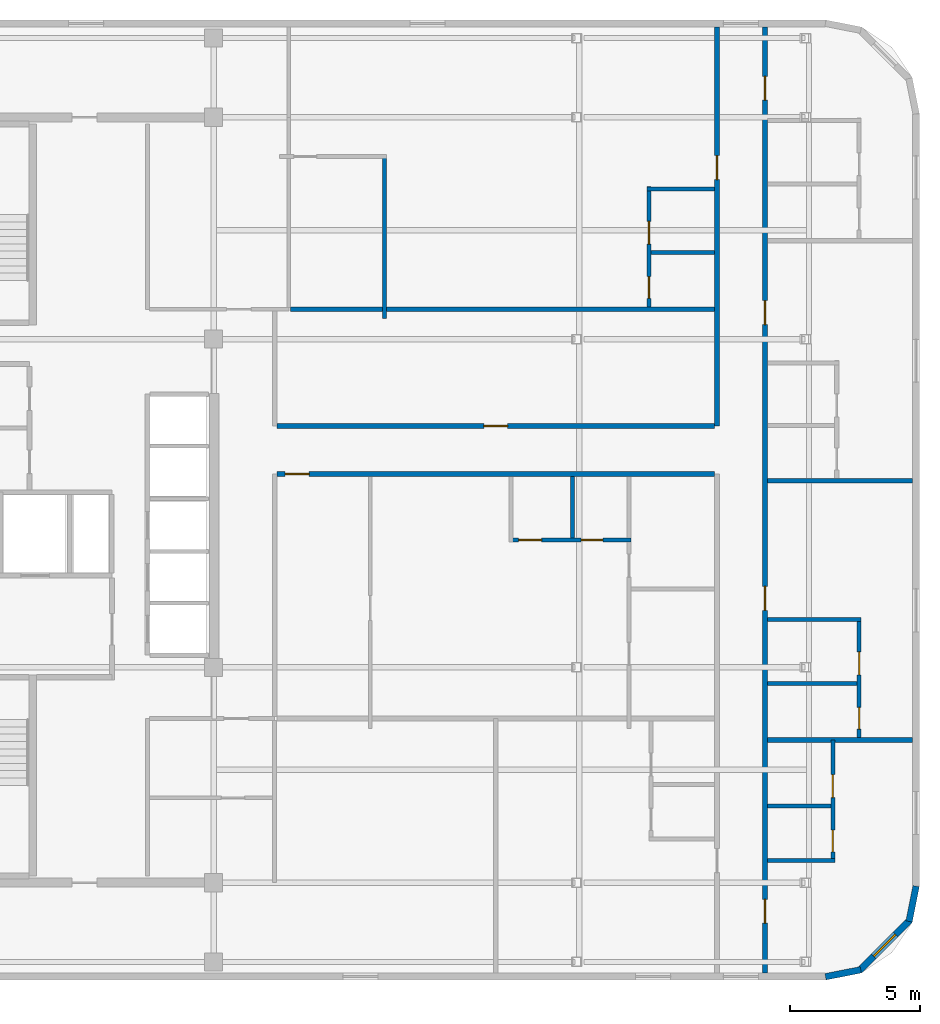
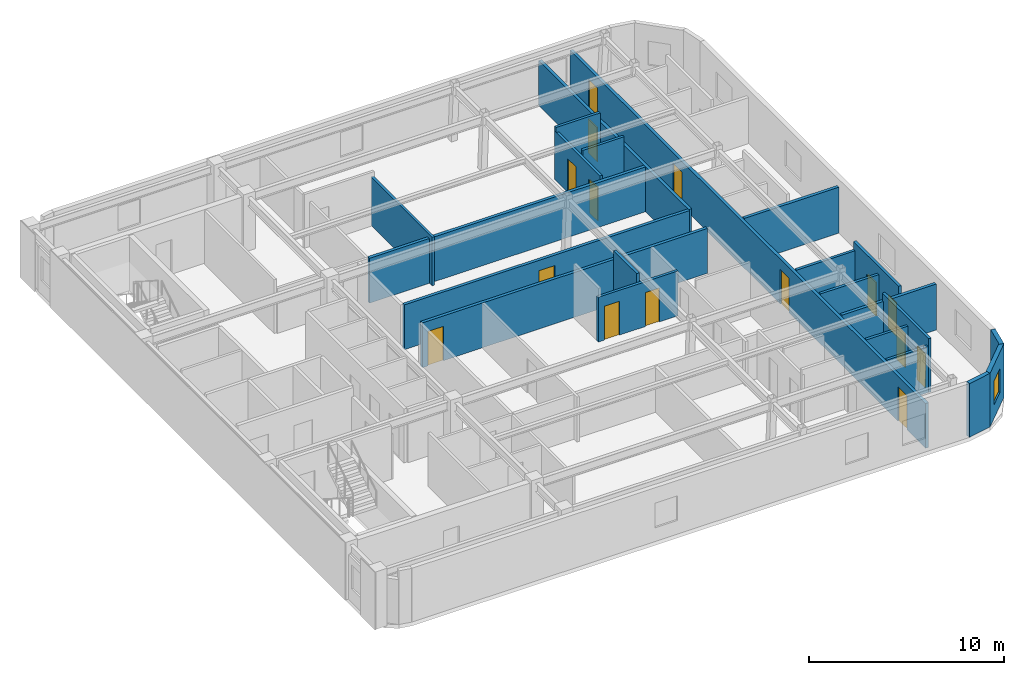
# One storey, part 4 of 6: 22 walls, 15 doors, 1 window, 16 openings.
"""IFC4 building model written with IfcOpenShell, lengths in metres."""

from ifc_helpers import new_model, si_unit, direction, frame, frame_2d, origin, place, context, subcontext, project, spatial, rectangle, extrude, material, layer, layer_set, type_object, element, fill, save


model = new_model("IFC4")

# Units and contexts
model_context = context("Model", 3, precision=1e-05, world=origin(), true_north=direction((0.0, 1.0)))
body_context = subcontext(model_context, "Body", "Model", "MODEL_VIEW")
ifc_project = project(units=[si_unit("LENGTHUNIT", "METRE"), si_unit("AREAUNIT", "SQUARE_METRE"), si_unit("VOLUMEUNIT", "CUBIC_METRE"), si_unit("PLANEANGLEUNIT", "RADIAN"), si_unit("MASSUNIT", "GRAM", prefix="KILO")], contexts=[model_context])

# Site, building, storey
site_placement = place(None, origin())
site = spatial("IfcSite", under=ifc_project, at=site_placement, CompositionType="ELEMENT")
building_placement = place(site_placement, origin())
building = spatial("IfcBuilding", under=site, at=building_placement, Name="Ochreholt Gables", CompositionType="ELEMENT")
storey_placement = place(building_placement, frame((0.0, 0.0, 264.0)))
storey = spatial("IfcBuildingStorey", under=building, at=storey_placement, Name="L69", CompositionType="ELEMENT", Elevation=264.0)

# Wall
ifc_material_1 = material(Name="Precast concrete 40 MPa", Category="concrete")
ifc_layer_1 = layer(ifc_material_1, 0.25, Name="Precast concrete 40 MPa")
ifc_layer_set_1 = layer_set([ifc_layer_1], Name="Precast concrete 40 MPa")
wall_type_1 = type_object("IfcWallType", Name="WALL-EXT-CNR", PredefinedType="SOLIDWALL", material=ifc_layer_set_1)
wall_1_placement = place(storey_placement, frame((58.783447265625, 5.624267578125, 0.0), z_axis=(0.0, 0.0, 1.0), x_axis=(0.980809899341, 0.19496651342, 0.0)))
element("IfcWall", 1, at=wall_1_placement, inside=storey, type_object=wall_type_1, Name="L69 Rounded Corner Wall SE-1", PredefinedType="SOLIDWALL", context=body_context, shape_type="SweptSolid", body=[
    extrude(rectangle(XDim=1.388671875, YDim=0.25, at=frame_2d((0.6943359375, 0.0))), origin(), (0.0, 0.0, 1.0), 3.360107421875),
])

# Wall, opening, window
wall_2_placement = place(storey_placement, frame((60.094970703125, 5.867919921875, 0.0), z_axis=(0.0, 0.0, 1.0), x_axis=(0.707106781187, 0.707106781187, 0.0)))
wall_2 = element("IfcWall", 2, at=wall_2_placement, inside=storey, type_object=wall_type_1, Name="L69 Rounded Corner Wall SE-2", PredefinedType="SOLIDWALL", context=body_context, shape_type="SweptSolid", body=[
    extrude(rectangle(XDim=2.7392578125, YDim=0.25, at=frame_2d((1.36962890625, 0.0))), origin(), (0.0, 0.0, 1.0), 3.360107421875),
])
opening_1_placement = place(wall_2_placement, frame((0.769775390625, 0.0, 0.85009765625)))
opening_1 = element("IfcOpeningElement", 3, at=opening_1_placement, cuts=wall_2, Name="Opening WN-3", PredefinedType="OPENING", context=body_context, shape_type="SweptSolid", body=[
    extrude(rectangle(XDim=1.199951171875, YDim=1.5, at=frame_2d((0.60009765625, 0.75))), frame((0.0, 0.135009765625, 0.0), z_axis=(0.0, -1.0, 0.0), x_axis=(1.0, 0.0, 0.0)), (0.0, 0.0, 1.0), 0.27001953125),
])
ifc_material_2 = material(Name="Triple-Glazed Thermally Broken Aluminium Window", Category="aluminium")
window_type = type_object("IfcWindowType", Name="WIN-RES-1200", PartitioningType="SINGLE_PANEL", PredefinedType="WINDOW", material=ifc_material_2)
window_placement = place(opening_1_placement, origin())
window = element("IfcWindow", 4, at=window_placement, inside=storey, type_object=window_type, Name="L69 Corner Bedroom Window SE", OverallHeight=1.5, OverallWidth=1.199951171875, PartitioningType="SINGLE_PANEL", PredefinedType="WINDOW", context=body_context, shape_type="SweptSolid", body=[
    extrude(rectangle(XDim=1.199951171875, YDim=1.5, at=frame_2d((0.60009765625, 0.75))), frame((0.0, 0.030029296875, 0.0), z_axis=(0.0, -1.0, 0.0), x_axis=(1.0, 0.0, 0.0)), (0.0, 0.0, 1.0), 0.06005859375),
])
fill(opening_1, window)

# Wall
wall_3_placement = place(storey_placement, frame((62.0048828125, 7.75439453125, 0.0), z_axis=(0.0, 0.0, 1.0), x_axis=(0.195135625965, 0.9807762678, 0.0)))
element("IfcWall", 5, at=wall_3_placement, inside=storey, type_object=wall_type_1, Name="L69 Rounded Corner Wall SE-3", PredefinedType="SOLIDWALL", context=body_context, shape_type="SweptSolid", body=[
    extrude(rectangle(XDim=1.388671875, YDim=0.25, at=frame_2d((0.6943359375, 0.0))), origin(), (0.0, 0.0, 1.0), 3.360107421875),
])

# Wall, opening, door
ifc_material_3 = material(Name="Fire-Rated Gypsum Acoustic Partition", Category="gypsum")
ifc_layer_2 = layer(ifc_material_3, 0.179931640625, Name="Fire-Rated Gypsum Acoustic Partition")
ifc_layer_set_2 = layer_set([ifc_layer_2], Name="Fire-Rated Gypsum Acoustic Partition")
wall_type_2 = type_object("IfcWallType", Name="WALL-INT-CR180", PredefinedType="STANDARD", material=ifc_layer_set_2)
wall_4_placement = place(storey_placement, frame((54.60009765625, 26.85009765625, 0.0), z_axis=(0.0, 0.0, 1.0), x_axis=(0.0, 1.0, 0.0)))
wall_4 = element("IfcWall", 6, at=wall_4_placement, inside=storey, type_object=wall_type_2, Name="L69 Interior Wall WI-C3GW2-L69", PredefinedType="STANDARD", context=body_context, shape_type="SweptSolid", body=[
    extrude(rectangle(XDim=15.3798828125, YDim=0.179931640625, at=frame_2d((7.68994140625, 0.0))), origin(), (0.0, 0.0, 1.0), 2.802978515625),
])
opening_2_placement = place(wall_4_placement, frame((9.5, 0.0, 0.0)))
opening_2 = element("IfcOpeningElement", 7, at=opening_2_placement, cuts=wall_4, Name="Opening D-UN1", PredefinedType="OPENING", context=body_context, shape_type="SweptSolid", body=[
    extrude(rectangle(XDim=0.919921875, YDim=2.14990234375, at=frame_2d((0.4599609375, 1.074951171875))), frame((0.0, 0.099853515625, 0.0), z_axis=(0.0, -1.0, 0.0), x_axis=(1.0, 0.0, 0.0)), (0.0, 0.0, 1.0), 0.199951171875),
])
ifc_material_4 = material(Name="Engineered Oak Timber", Category="wood")
door_type_1 = type_object("IfcDoorType", Name="DR-INT-UNT920", OperationType="NOTDEFINED", PredefinedType="DOOR", material=ifc_material_4)
door_1_placement = place(opening_2_placement, origin())
door_1 = element("IfcDoor", 8, at=door_1_placement, inside=storey, type_object=door_type_1, Name="L69 Door D-U-L69NM2-ENT", OperationType="SINGLE_SWING_LEFT", OverallHeight=2.14990234375, OverallWidth=0.919921875, PredefinedType="DOOR", context=body_context, shape_type="SweptSolid", body=[
    extrude(rectangle(XDim=0.919921875, YDim=2.14990234375, at=frame_2d((0.4599609375, 1.074951171875))), frame((0.0, 0.02490234375, 0.0), z_axis=(0.0, -1.0, 0.0), x_axis=(1.0, 0.0, 0.0)), (0.0, 0.0, 1.0), 0.050048828125),
])
fill(opening_2, door_1)

wall_5_placement = place(storey_placement, frame((37.639892578125, 25.0, 0.0), z_axis=(0.0, 0.0, 1.0), x_axis=(1.0, 0.0, 0.0)))
wall_5 = element("IfcWall", 9, at=wall_5_placement, inside=storey, type_object=wall_type_2, Name="L69 Interior Wall WI-C3BRS1-L69", PredefinedType="STANDARD", context=body_context, shape_type="SweptSolid", body=[
    extrude(rectangle(XDim=16.8701171875, YDim=0.179931640625, at=frame_2d((8.43505859375, 0.0))), origin(), (0.0, 0.0, 1.0), 2.802978515625),
])
opening_3_placement = place(wall_5_placement, frame((0.320068359375, 0.0, 0.0)))
opening_3 = element("IfcOpeningElement", 10, at=opening_3_placement, cuts=wall_5, Name="Opening D-UN1", PredefinedType="OPENING", context=body_context, shape_type="SweptSolid", body=[
    extrude(rectangle(XDim=0.919921875, YDim=2.14990234375, at=frame_2d((0.4599609375, 1.074951171875))), frame((0.0, 0.099853515625, 0.0), z_axis=(0.0, -1.0, 0.0), x_axis=(1.0, 0.0, 0.0)), (0.0, 0.0, 1.0), 0.199951171875),
])
door_2_placement = place(opening_3_placement, origin())
door_2 = element("IfcDoor", 11, at=door_2_placement, inside=storey, type_object=door_type_1, Name="L69 Door D-U-L69SM2-ENT", OperationType="SINGLE_SWING_RIGHT", OverallHeight=2.14990234375, OverallWidth=0.919921875, PredefinedType="DOOR", context=body_context, shape_type="SweptSolid", body=[
    extrude(rectangle(XDim=0.919921875, YDim=2.14990234375, at=frame_2d((0.4599609375, 1.074951171875))), frame((0.0, 0.02490234375, 0.0), z_axis=(0.0, -1.0, 0.0), x_axis=(1.0, 0.0, 0.0)), (0.0, 0.0, 1.0), 0.050048828125),
])
fill(opening_3, door_2)

wall_6_placement = place(storey_placement, frame((37.639892578125, 26.85009765625, 0.0), z_axis=(0.0, 0.0, 1.0), x_axis=(1.0, 0.0, 0.0)))
wall_6 = element("IfcWall", 12, at=wall_6_placement, inside=storey, type_object=wall_type_2, Name="L69 Interior Wall WI-C3BRN1-L69", PredefinedType="STANDARD", context=body_context, shape_type="SweptSolid", body=[
    extrude(rectangle(XDim=16.8701171875, YDim=0.179931640625, at=frame_2d((8.43505859375, 0.0))), origin(), (0.0, 0.0, 1.0), 2.802978515625),
])
opening_4_placement = place(wall_6_placement, frame((7.97509765625, 0.0, 0.0)))
opening_4 = element("IfcOpeningElement", 13, at=opening_4_placement, cuts=wall_6, Name="Opening D-UN1", PredefinedType="OPENING", context=body_context, shape_type="SweptSolid", body=[
    extrude(rectangle(XDim=0.919921875, YDim=2.14990234375, at=frame_2d((0.4599609375, 1.074951171875))), frame((0.0, 0.099853515625, 0.0), z_axis=(0.0, -1.0, 0.0), x_axis=(1.0, 0.0, 0.0)), (0.0, 0.0, 1.0), 0.199951171875),
])
door_3_placement = place(opening_4_placement, origin())
door_3 = element("IfcDoor", 14, at=door_3_placement, inside=storey, type_object=door_type_1, Name="L69 Door D-U-L69NM1-ENT", OperationType="SINGLE_SWING_RIGHT", OverallHeight=2.14990234375, OverallWidth=0.919921875, PredefinedType="DOOR", context=body_context, shape_type="SweptSolid", body=[
    extrude(rectangle(XDim=0.919921875, YDim=2.14990234375, at=frame_2d((0.4599609375, 1.074951171875))), frame((0.0, 0.02490234375, 0.0), z_axis=(0.0, -1.0, 0.0), x_axis=(1.0, 0.0, 0.0)), (0.0, 0.0, 1.0), 0.050048828125),
])
fill(opening_4, door_3)

# Wall, openings, doors
wall_7_placement = place(storey_placement, frame((56.449951171875, 5.77001953125, 0.0), z_axis=(0.0, 0.0, 1.0), x_axis=(0.0, 1.0, 0.0)))
wall_7 = element("IfcWall", 15, at=wall_7_placement, inside=storey, type_object=wall_type_2, Name="L69 Interior Wall WI-C3GE-L69", PredefinedType="STANDARD", context=body_context, shape_type="SweptSolid", body=[
    extrude(rectangle(XDim=36.4599609375, YDim=0.179931640625, at=frame_2d((18.22998046875, 0.0))), origin(), (0.0, 0.0, 1.0), 2.802978515625),
])
opening_5_placement = place(wall_7_placement, frame((1.919921875, 0.0, 0.0)))
opening_5 = element("IfcOpeningElement", 16, at=opening_5_placement, cuts=wall_7, Name="Opening D-UN1", PredefinedType="OPENING", context=body_context, shape_type="SweptSolid", body=[
    extrude(rectangle(XDim=0.919921875, YDim=2.14990234375, at=frame_2d((0.4599609375, 1.074951171875))), frame((0.0, 0.099853515625, 0.0), z_axis=(0.0, -1.0, 0.0), x_axis=(1.0, 0.0, 0.0)), (0.0, 0.0, 1.0), 0.199951171875),
])
opening_6_placement = place(wall_7_placement, frame((13.97998046875, 0.0, 0.0)))
opening_6 = element("IfcOpeningElement", 17, at=opening_6_placement, cuts=wall_7, Name="Opening D-UN1", PredefinedType="OPENING", context=body_context, shape_type="SweptSolid", body=[
    extrude(rectangle(XDim=0.919921875, YDim=2.14990234375, at=frame_2d((0.4599609375, 1.074951171875))), frame((0.0, 0.099853515625, 0.0), z_axis=(0.0, -1.0, 0.0), x_axis=(1.0, 0.0, 0.0)), (0.0, 0.0, 1.0), 0.199951171875),
])
opening_7_placement = place(wall_7_placement, frame((24.989990234375, 0.0, 0.0)))
opening_7 = element("IfcOpeningElement", 18, at=opening_7_placement, cuts=wall_7, Name="Opening D-UN1", PredefinedType="OPENING", context=body_context, shape_type="SweptSolid", body=[
    extrude(rectangle(XDim=0.919921875, YDim=2.14990234375, at=frame_2d((0.4599609375, 1.074951171875))), frame((0.0, 0.099853515625, 0.0), z_axis=(0.0, -1.0, 0.0), x_axis=(1.0, 0.0, 0.0)), (0.0, 0.0, 1.0), 0.199951171875),
])
opening_8_placement = place(wall_7_placement, frame((33.639892578125, 0.0, 0.0)))
opening_8 = element("IfcOpeningElement", 19, at=opening_8_placement, cuts=wall_7, Name="Opening D-UN1", PredefinedType="OPENING", context=body_context, shape_type="SweptSolid", body=[
    extrude(rectangle(XDim=0.919921875, YDim=2.14990234375, at=frame_2d((0.4599609375, 1.074951171875))), frame((0.0, 0.099853515625, 0.0), z_axis=(0.0, -1.0, 0.0), x_axis=(1.0, 0.0, 0.0)), (0.0, 0.0, 1.0), 0.199951171875),
])
door_4_placement = place(opening_5_placement, origin())
door_4 = element("IfcDoor", 20, at=door_4_placement, inside=storey, type_object=door_type_1, Name="L69 Door D-U-L69E1-ENT", OperationType="SINGLE_SWING_RIGHT", OverallHeight=2.14990234375, OverallWidth=0.919921875, PredefinedType="DOOR", context=body_context, shape_type="SweptSolid", body=[
    extrude(rectangle(XDim=0.919921875, YDim=2.14990234375, at=frame_2d((0.4599609375, 1.074951171875))), frame((0.0, 0.02490234375, 0.0), z_axis=(0.0, -1.0, 0.0), x_axis=(1.0, 0.0, 0.0)), (0.0, 0.0, 1.0), 0.050048828125),
])
fill(opening_5, door_4)
door_5_placement = place(opening_6_placement, origin())
door_5 = element("IfcDoor", 21, at=door_5_placement, inside=storey, type_object=door_type_1, Name="L69 Door D-U-L69E2-ENT", OperationType="SINGLE_SWING_LEFT", OverallHeight=2.14990234375, OverallWidth=0.919921875, PredefinedType="DOOR", context=body_context, shape_type="SweptSolid", body=[
    extrude(rectangle(XDim=0.919921875, YDim=2.14990234375, at=frame_2d((0.4599609375, 1.074951171875))), frame((0.0, 0.02490234375, 0.0), z_axis=(0.0, -1.0, 0.0), x_axis=(1.0, 0.0, 0.0)), (0.0, 0.0, 1.0), 0.050048828125),
])
fill(opening_6, door_5)
door_6_placement = place(opening_7_placement, origin())
door_6 = element("IfcDoor", 22, at=door_6_placement, inside=storey, type_object=door_type_1, Name="L69 Door D-U-L69E3-ENT", OperationType="SINGLE_SWING_RIGHT", OverallHeight=2.14990234375, OverallWidth=0.919921875, PredefinedType="DOOR", context=body_context, shape_type="SweptSolid", body=[
    extrude(rectangle(XDim=0.919921875, YDim=2.14990234375, at=frame_2d((0.4599609375, 1.074951171875))), frame((0.0, 0.02490234375, 0.0), z_axis=(0.0, -1.0, 0.0), x_axis=(1.0, 0.0, 0.0)), (0.0, 0.0, 1.0), 0.050048828125),
])
fill(opening_7, door_6)
door_7_placement = place(opening_8_placement, origin())
door_7 = element("IfcDoor", 23, at=door_7_placement, inside=storey, type_object=door_type_1, Name="L69 Door D-U-L69E4-ENT", OperationType="SINGLE_SWING_LEFT", OverallHeight=2.14990234375, OverallWidth=0.919921875, PredefinedType="DOOR", context=body_context, shape_type="SweptSolid", body=[
    extrude(rectangle(XDim=0.919921875, YDim=2.14990234375, at=frame_2d((0.4599609375, 1.074951171875))), frame((0.0, 0.02490234375, 0.0), z_axis=(0.0, -1.0, 0.0), x_axis=(1.0, 0.0, 0.0)), (0.0, 0.0, 1.0), 0.050048828125),
])
fill(opening_8, door_7)

# Walls
ifc_material_5 = material(Name="Double-Stud Acoustic Demising Wall", Category="gypsum")
ifc_layer_3 = layer(ifc_material_5, 0.18505859375, Name="Double-Stud Acoustic Demising Wall")
ifc_layer_set_3 = layer_set([ifc_layer_3], Name="Double-Stud Acoustic Demising Wall")
wall_type_3 = type_object("IfcWallType", Name="WALL-INT-DM185", PredefinedType="PARTITIONING", material=ifc_layer_set_3)
for number, where, z_axis, x_axis, name in (
    (24, (56.5400390625, 14.75, 0.0), (0.0, 0.0, 1.0), (1.0, 0.0, 0.0), "L69 Interior Wall WI-C3UDE2-L69"),
    (25, (56.5400390625, 24.739990234375, 0.0), (0.0, 0.0, 1.0), (1.0, 0.0, 0.0), "L69 Interior Wall WI-C3UDE3-L69"),
):
    element("IfcWall", number, at=place(storey_placement, frame(where, z_axis=z_axis, x_axis=x_axis)), inside=storey, type_object=wall_type_3, Name=name, PredefinedType="PARTITIONING", context=body_context, shape_type="SweptSolid", body=[
        extrude(rectangle(XDim=5.58984375, YDim=0.18505859375, at=frame_2d((2.794921875, 0.0))), origin(), (0.0, 0.0, 1.0), 2.87890625),
    ])
wall_8_placement = place(storey_placement, frame((38.172607421875, 31.35009765625, 0.0), z_axis=(0.0, 0.0, 1.0), x_axis=(1.0, 0.0, 0.0)))
element("IfcWall", 26, at=wall_8_placement, inside=storey, type_object=wall_type_3, Name="L69 Interior Wall WI-C3NMY-L69", PredefinedType="PARTITIONING", context=body_context, shape_type="SweptSolid", body=[
    extrude(rectangle(XDim=16.33740234375, YDim=0.18505859375, at=frame_2d((8.168701171875, 0.0))), origin(), (0.0, 0.0, 1.0), 2.802978515625),
])
ifc_material_6 = material(Name="Moisture-Resistant Plumbing Chase Wall", Category="gypsum")
ifc_layer_4 = layer(ifc_material_6, 0.159912109375, Name="Moisture-Resistant Plumbing Chase Wall")
ifc_layer_set_4 = layer_set([ifc_layer_4], Name="Moisture-Resistant Plumbing Chase Wall")
wall_type_4 = type_object("IfcWallType", Name="WALL-INT-PL160", PredefinedType="PLUMBINGWALL", material=ifc_layer_set_4)
wall_9_placement = place(storey_placement, frame((56.5400390625, 10.110107421875, 0.0), z_axis=(0.0, 0.0, 1.0), x_axis=(1.0, 0.0, 0.0)))
element("IfcWall", 27, at=wall_9_placement, inside=storey, type_object=wall_type_4, Name="L69 Interior Wall WU-L69E1-WYS", PredefinedType="PLUMBINGWALL", context=body_context, shape_type="SweptSolid", body=[
    extrude(rectangle(XDim=2.60595703125, YDim=0.159912109375, at=frame_2d((1.302978515625, 0.0))), origin(), (0.0, 0.0, 1.0), 2.87890625),
])

# Wall, openings, doors
wall_10_placement = place(storey_placement, frame((59.06591796875, 10.02001953125, 0.0), z_axis=(0.0, 0.0, 1.0), x_axis=(0.0, 1.0, 0.0)))
wall_10 = element("IfcWall", 28, at=wall_10_placement, inside=storey, type_object=wall_type_4, Name="L69 Interior Wall WU-L69E1-WX", PredefinedType="PLUMBINGWALL", context=body_context, shape_type="SweptSolid", body=[
    extrude(rectangle(XDim=4.72998046875, YDim=0.159912109375, at=frame_2d((2.364990234375, 0.0))), origin(), (0.0, 0.0, 1.0), 3.360107421875),
])
opening_9_placement = place(wall_10_placement, frame((0.419921875, 0.0, 0.0)))
opening_9 = element("IfcOpeningElement", 29, at=opening_9_placement, cuts=wall_10, Name="Opening D-BT2", PredefinedType="OPENING", context=body_context, shape_type="SweptSolid", body=[
    extrude(rectangle(XDim=0.840087890625, YDim=2.1201171875, at=frame_2d((0.419921875, 1.06005859375))), frame((0.0, 0.08984375, 0.0), z_axis=(0.0, -1.0, 0.0), x_axis=(1.0, 0.0, 0.0)), (0.0, 0.0, 1.0), 0.179931640625),
])
opening_10_placement = place(wall_10_placement, frame((2.512939453125, 0.0, 0.0)))
opening_10 = element("IfcOpeningElement", 30, at=opening_10_placement, cuts=wall_10, Name="Opening D-GN2", PredefinedType="OPENING", context=body_context, shape_type="SweptSolid", body=[
    extrude(rectangle(XDim=0.8798828125, YDim=2.1201171875, at=frame_2d((0.43994140625, 1.06005859375))), frame((0.0, 0.08984375, 0.0), z_axis=(0.0, -1.0, 0.0), x_axis=(1.0, 0.0, 0.0)), (0.0, 0.0, 1.0), 0.179931640625),
])
door_type_2 = type_object("IfcDoorType", Name="DR-INT-BTH840", OperationType="NOTDEFINED", PredefinedType="DOOR", material=ifc_material_4)
door_8_placement = place(opening_9_placement, origin())
door_8 = element("IfcDoor", 31, at=door_8_placement, inside=storey, type_object=door_type_2, Name="L69 Door D-U-L69E1-BTH", OperationType="SINGLE_SWING_LEFT", OverallHeight=2.1201171875, OverallWidth=0.840087890625, PredefinedType="DOOR", context=body_context, shape_type="SweptSolid", body=[
    extrude(rectangle(XDim=0.840087890625, YDim=2.1201171875, at=frame_2d((0.419921875, 1.06005859375))), frame((0.0, 0.02490234375, 0.0), z_axis=(0.0, -1.0, 0.0), x_axis=(1.0, 0.0, 0.0)), (0.0, 0.0, 1.0), 0.050048828125),
])
fill(opening_9, door_8)
door_type_3 = type_object("IfcDoorType", Name="DR-INT-GEN880", OperationType="NOTDEFINED", PredefinedType="DOOR", material=ifc_material_4)
door_9_placement = place(opening_10_placement, origin())
door_9 = element("IfcDoor", 32, at=door_9_placement, inside=storey, type_object=door_type_3, Name="L69 Door D-U-L69E1-KIT", OperationType="SINGLE_SWING_RIGHT", OverallHeight=2.1201171875, OverallWidth=0.8798828125, PredefinedType="DOOR", context=body_context, shape_type="SweptSolid", body=[
    extrude(rectangle(XDim=0.8798828125, YDim=2.1201171875, at=frame_2d((0.43994140625, 1.06005859375))), frame((0.0, 0.02490234375, 0.0), z_axis=(0.0, -1.0, 0.0), x_axis=(1.0, 0.0, 0.0)), (0.0, 0.0, 1.0), 0.050048828125),
])
fill(opening_10, door_9)

# Walls
wall_11_placement = place(storey_placement, frame((56.5400390625, 12.202880859375, 0.0), z_axis=(0.0, 0.0, 1.0), x_axis=(1.0, 0.0, 0.0)))
element("IfcWall", 33, at=wall_11_placement, inside=storey, type_object=wall_type_4, Name="L69 Interior Wall WU-L69E1-WM", PredefinedType="PLUMBINGWALL", context=body_context, shape_type="SweptSolid", body=[
    extrude(rectangle(XDim=2.446044921875, YDim=0.159912109375, at=frame_2d((1.22314453125, 0.0))), origin(), (0.0, 0.0, 1.0), 2.87890625),
])
wall_12_placement = place(storey_placement, frame((56.5400390625, 19.389892578125, 0.0), z_axis=(0.0, 0.0, 1.0), x_axis=(1.0, 0.0, 0.0)))
element("IfcWall", 34, at=wall_12_placement, inside=storey, type_object=wall_type_4, Name="L69 Interior Wall WU-L69E2-WYN", PredefinedType="PLUMBINGWALL", context=body_context, shape_type="SweptSolid", body=[
    extrude(rectangle(XDim=3.6201171875, YDim=0.159912109375, at=frame_2d((1.81005859375, 0.0))), origin(), (0.0, 0.0, 1.0), 2.87890625),
])

# Wall, openings, doors
wall_13_placement = place(storey_placement, frame((60.080078125, 14.842529296875, 0.0), z_axis=(0.0, 0.0, 1.0), x_axis=(0.0, 1.0, 0.0)))
wall_13 = element("IfcWall", 35, at=wall_13_placement, inside=storey, type_object=wall_type_4, Name="L69 Interior Wall WU-L69E2-WX", PredefinedType="PLUMBINGWALL", context=body_context, shape_type="SweptSolid", body=[
    extrude(rectangle(XDim=4.637451171875, YDim=0.159912109375, at=frame_2d((2.31884765625, 0.0))), origin(), (0.0, 0.0, 1.0), 3.360107421875),
])
opening_11_placement = place(wall_13_placement, frame((0.327392578125, 0.0, 0.0)))
opening_11 = element("IfcOpeningElement", 36, at=opening_11_placement, cuts=wall_13, Name="Opening D-BT2", PredefinedType="OPENING", context=body_context, shape_type="SweptSolid", body=[
    extrude(rectangle(XDim=0.840087890625, YDim=2.1201171875, at=frame_2d((0.419921875, 1.06005859375))), frame((0.0, 0.08984375, 0.0), z_axis=(0.0, -1.0, 0.0), x_axis=(1.0, 0.0, 0.0)), (0.0, 0.0, 1.0), 0.179931640625),
])
opening_12_placement = place(wall_13_placement, frame((2.42041015625, 0.0, 0.0)))
opening_12 = element("IfcOpeningElement", 37, at=opening_12_placement, cuts=wall_13, Name="Opening D-GN2", PredefinedType="OPENING", context=body_context, shape_type="SweptSolid", body=[
    extrude(rectangle(XDim=0.8798828125, YDim=2.1201171875, at=frame_2d((0.43994140625, 1.06005859375))), frame((0.0, 0.08984375, 0.0), z_axis=(0.0, -1.0, 0.0), x_axis=(1.0, 0.0, 0.0)), (0.0, 0.0, 1.0), 0.179931640625),
])
door_10_placement = place(opening_11_placement, origin())
door_10 = element("IfcDoor", 38, at=door_10_placement, inside=storey, type_object=door_type_2, Name="L69 Door D-U-L69E2-BTH", OperationType="SINGLE_SWING_RIGHT", OverallHeight=2.1201171875, OverallWidth=0.840087890625, PredefinedType="DOOR", context=body_context, shape_type="SweptSolid", body=[
    extrude(rectangle(XDim=0.840087890625, YDim=2.1201171875, at=frame_2d((0.419921875, 1.06005859375))), frame((0.0, 0.02490234375, 0.0), z_axis=(0.0, -1.0, 0.0), x_axis=(1.0, 0.0, 0.0)), (0.0, 0.0, 1.0), 0.050048828125),
])
fill(opening_11, door_10)
door_11_placement = place(opening_12_placement, origin())
door_11 = element("IfcDoor", 39, at=door_11_placement, inside=storey, type_object=door_type_3, Name="L69 Door D-U-L69E2-KIT", OperationType="SINGLE_SWING_LEFT", OverallHeight=2.1201171875, OverallWidth=0.8798828125, PredefinedType="DOOR", context=body_context, shape_type="SweptSolid", body=[
    extrude(rectangle(XDim=0.8798828125, YDim=2.1201171875, at=frame_2d((0.43994140625, 1.06005859375))), frame((0.0, 0.02490234375, 0.0), z_axis=(0.0, -1.0, 0.0), x_axis=(1.0, 0.0, 0.0)), (0.0, 0.0, 1.0), 0.050048828125),
])
fill(opening_12, door_11)

# Wall
wall_14_placement = place(storey_placement, frame((56.5400390625, 16.93310546875, 0.0), z_axis=(0.0, 0.0, 1.0), x_axis=(1.0, 0.0, 0.0)))
element("IfcWall", 40, at=wall_14_placement, inside=storey, type_object=wall_type_4, Name="L69 Interior Wall WU-L69E2-WM", PredefinedType="PLUMBINGWALL", context=body_context, shape_type="SweptSolid", body=[
    extrude(rectangle(XDim=3.460205078125, YDim=0.159912109375, at=frame_2d((1.72998046875, 0.0))), origin(), (0.0, 0.0, 1.0), 2.87890625),
])

# Wall, openings, doors
wall_15_placement = place(storey_placement, frame((46.580078125, 22.4599609375, 0.0), z_axis=(0.0, 0.0, 1.0), x_axis=(1.0, 0.0, 0.0)))
wall_15 = element("IfcWall", 41, at=wall_15_placement, inside=storey, type_object=wall_type_4, Name="L69 Interior Wall WU-L69SM2-WY", PredefinedType="PLUMBINGWALL", context=body_context, shape_type="SweptSolid", body=[
    extrude(rectangle(XDim=4.7099609375, YDim=0.159912109375, at=frame_2d((2.35498046875, 0.0))), origin(), (0.0, 0.0, 1.0), 2.802978515625),
])
opening_13_placement = place(wall_15_placement, frame((0.3798828125, 0.0, 0.0)))
opening_13 = element("IfcOpeningElement", 42, at=opening_13_placement, cuts=wall_15, Name="Opening D-GN2", PredefinedType="OPENING", context=body_context, shape_type="SweptSolid", body=[
    extrude(rectangle(XDim=0.8798828125, YDim=2.1201171875, at=frame_2d((0.43994140625, 1.06005859375))), frame((0.0, 0.08984375, 0.0), z_axis=(0.0, -1.0, 0.0), x_axis=(1.0, 0.0, 0.0)), (0.0, 0.0, 1.0), 0.179931640625),
])
opening_14_placement = place(wall_15_placement, frame((2.785888671875, 0.0, 0.0)))
opening_14 = element("IfcOpeningElement", 43, at=opening_14_placement, cuts=wall_15, Name="Opening D-BT2", PredefinedType="OPENING", context=body_context, shape_type="SweptSolid", body=[
    extrude(rectangle(XDim=0.840087890625, YDim=2.1201171875, at=frame_2d((0.419921875, 1.06005859375))), frame((0.0, 0.08984375, 0.0), z_axis=(0.0, -1.0, 0.0), x_axis=(1.0, 0.0, 0.0)), (0.0, 0.0, 1.0), 0.179931640625),
])
door_12_placement = place(opening_14_placement, origin())
door_12 = element("IfcDoor", 44, at=door_12_placement, inside=storey, type_object=door_type_2, Name="L69 Door D-U-L69SM2-BTH", OperationType="SINGLE_SWING_RIGHT", OverallHeight=2.1201171875, OverallWidth=0.840087890625, PredefinedType="DOOR", context=body_context, shape_type="SweptSolid", body=[
    extrude(rectangle(XDim=0.840087890625, YDim=2.1201171875, at=frame_2d((0.419921875, 1.06005859375))), frame((0.0, 0.02490234375, 0.0), z_axis=(0.0, -1.0, 0.0), x_axis=(1.0, 0.0, 0.0)), (0.0, 0.0, 1.0), 0.050048828125),
])
fill(opening_14, door_12)
door_13_placement = place(opening_13_placement, origin())
door_13 = element("IfcDoor", 45, at=door_13_placement, inside=storey, type_object=door_type_3, Name="L69 Door D-U-L69SM2-KIT", OperationType="SINGLE_SWING_LEFT", OverallHeight=2.1201171875, OverallWidth=0.8798828125, PredefinedType="DOOR", context=body_context, shape_type="SweptSolid", body=[
    extrude(rectangle(XDim=0.8798828125, YDim=2.1201171875, at=frame_2d((0.43994140625, 1.06005859375))), frame((0.0, 0.02490234375, 0.0), z_axis=(0.0, -1.0, 0.0), x_axis=(1.0, 0.0, 0.0)), (0.0, 0.0, 1.0), 0.050048828125),
])
fill(opening_13, door_13)

# Walls
wall_16_placement = place(storey_placement, frame((49.02587890625, 22.5400390625, 0.0), z_axis=(0.0, 0.0, 1.0), x_axis=(0.0, 1.0, 0.0)))
element("IfcWall", 46, at=wall_16_placement, inside=storey, type_object=wall_type_4, Name="L69 Interior Wall WU-L69SM2-WK", PredefinedType="PLUMBINGWALL", context=body_context, shape_type="SweptSolid", body=[
    extrude(rectangle(XDim=2.369873046875, YDim=0.159912109375, at=frame_2d((1.18505859375, 0.0))), origin(), (0.0, 0.0, 1.0), 3.360107421875),
])
wall_17_placement = place(storey_placement, frame((51.904052734375, 35.989990234375, 0.0), z_axis=(0.0, 0.0, 1.0), x_axis=(1.0, 0.0, 0.0)))
element("IfcWall", 47, at=wall_17_placement, inside=storey, type_object=wall_type_4, Name="L69 Interior Wall WU-L69NM2-WYN", PredefinedType="PLUMBINGWALL", context=body_context, shape_type="SweptSolid", body=[
    extrude(rectangle(XDim=2.60595703125, YDim=0.159912109375, at=frame_2d((1.302978515625, 0.0))), origin(), (0.0, 0.0, 1.0), 3.360107421875),
])

# Wall, openings, doors
wall_18_placement = place(storey_placement, frame((51.98388671875, 31.4423828125, 0.0), z_axis=(0.0, 0.0, 1.0), x_axis=(0.0, 1.0, 0.0)))
wall_18 = element("IfcWall", 48, at=wall_18_placement, inside=storey, type_object=wall_type_4, Name="L69 Interior Wall WU-L69NM2-WX", PredefinedType="PLUMBINGWALL", context=body_context, shape_type="SweptSolid", body=[
    extrude(rectangle(XDim=4.6376953125, YDim=0.159912109375, at=frame_2d((2.31884765625, 0.0))), origin(), (0.0, 0.0, 1.0), 3.0390625),
])
opening_15_placement = place(wall_18_placement, frame((0.327392578125, 0.0, 0.0)))
opening_15 = element("IfcOpeningElement", 49, at=opening_15_placement, cuts=wall_18, Name="Opening D-BT2", PredefinedType="OPENING", context=body_context, shape_type="SweptSolid", body=[
    extrude(rectangle(XDim=0.840087890625, YDim=2.1201171875, at=frame_2d((0.419921875, 1.06005859375))), frame((0.0, 0.08984375, 0.0), z_axis=(0.0, -1.0, 0.0), x_axis=(1.0, 0.0, 0.0)), (0.0, 0.0, 1.0), 0.179931640625),
])
opening_16_placement = place(wall_18_placement, frame((2.42041015625, 0.0, 0.0)))
opening_16 = element("IfcOpeningElement", 50, at=opening_16_placement, cuts=wall_18, Name="Opening D-GN2", PredefinedType="OPENING", context=body_context, shape_type="SweptSolid", body=[
    extrude(rectangle(XDim=0.8798828125, YDim=2.1201171875, at=frame_2d((0.43994140625, 1.06005859375))), frame((0.0, 0.08984375, 0.0), z_axis=(0.0, -1.0, 0.0), x_axis=(1.0, 0.0, 0.0)), (0.0, 0.0, 1.0), 0.179931640625),
])
door_14_placement = place(opening_15_placement, origin())
door_14 = element("IfcDoor", 51, at=door_14_placement, inside=storey, type_object=door_type_2, Name="L69 Door D-U-L69NM2-BTH", OperationType="SINGLE_SWING_RIGHT", OverallHeight=2.1201171875, OverallWidth=0.840087890625, PredefinedType="DOOR", context=body_context, shape_type="SweptSolid", body=[
    extrude(rectangle(XDim=0.840087890625, YDim=2.1201171875, at=frame_2d((0.419921875, 1.06005859375))), frame((0.0, 0.02490234375, 0.0), z_axis=(0.0, -1.0, 0.0), x_axis=(1.0, 0.0, 0.0)), (0.0, 0.0, 1.0), 0.050048828125),
])
fill(opening_15, door_14)
door_15_placement = place(opening_16_placement, origin())
door_15 = element("IfcDoor", 52, at=door_15_placement, inside=storey, type_object=door_type_3, Name="L69 Door D-U-L69NM2-KIT", OperationType="SINGLE_SWING_LEFT", OverallHeight=2.1201171875, OverallWidth=0.8798828125, PredefinedType="DOOR", context=body_context, shape_type="SweptSolid", body=[
    extrude(rectangle(XDim=0.8798828125, YDim=2.1201171875, at=frame_2d((0.43994140625, 1.06005859375))), frame((0.0, 0.02490234375, 0.0), z_axis=(0.0, -1.0, 0.0), x_axis=(1.0, 0.0, 0.0)), (0.0, 0.0, 1.0), 0.050048828125),
])
fill(opening_16, door_15)

# Walls
wall_19_placement = place(storey_placement, frame((52.06396484375, 33.532958984375, 0.0), z_axis=(0.0, 0.0, 1.0), x_axis=(1.0, 0.0, 0.0)))
element("IfcWall", 53, at=wall_19_placement, inside=storey, type_object=wall_type_4, Name="L69 Interior Wall WU-L69NM2-WM", PredefinedType="PLUMBINGWALL", context=body_context, shape_type="SweptSolid", body=[
    extrude(rectangle(XDim=2.446044921875, YDim=0.159912109375, at=frame_2d((1.22314453125, 0.0))), origin(), (0.0, 0.0, 1.0), 3.360107421875),
])
ifc_material_7 = material(Name="Lightweight Stud Partition", Category="gypsum")
ifc_layer_5 = layer(ifc_material_7, 0.14501953125, Name="Lightweight Stud Partition")
ifc_layer_set_5 = layer_set([ifc_layer_5], Name="Lightweight Stud Partition")
wall_type_5 = type_object("IfcWallType", Name="WALL-INT-PT145", PredefinedType="PARTITIONING", material=ifc_layer_set_5)
wall_20_placement = place(storey_placement, frame((41.7900390625, 30.989990234375, 0.0), z_axis=(0.0, 0.0, 1.0), x_axis=(0.0, 1.0, 0.0)))
element("IfcWall", 54, at=wall_20_placement, inside=storey, type_object=wall_type_5, Name="L69 Interior Wall WU-L69NM2-STW", PredefinedType="PARTITIONING", context=body_context, shape_type="SweptSolid", body=[
    extrude(rectangle(XDim=6.25, YDim=0.14501953125, at=frame_2d((3.125, 0.0))), origin(), (0.0, 0.0, 1.0), 3.0390625),
])

save(model, "model.ifc")
